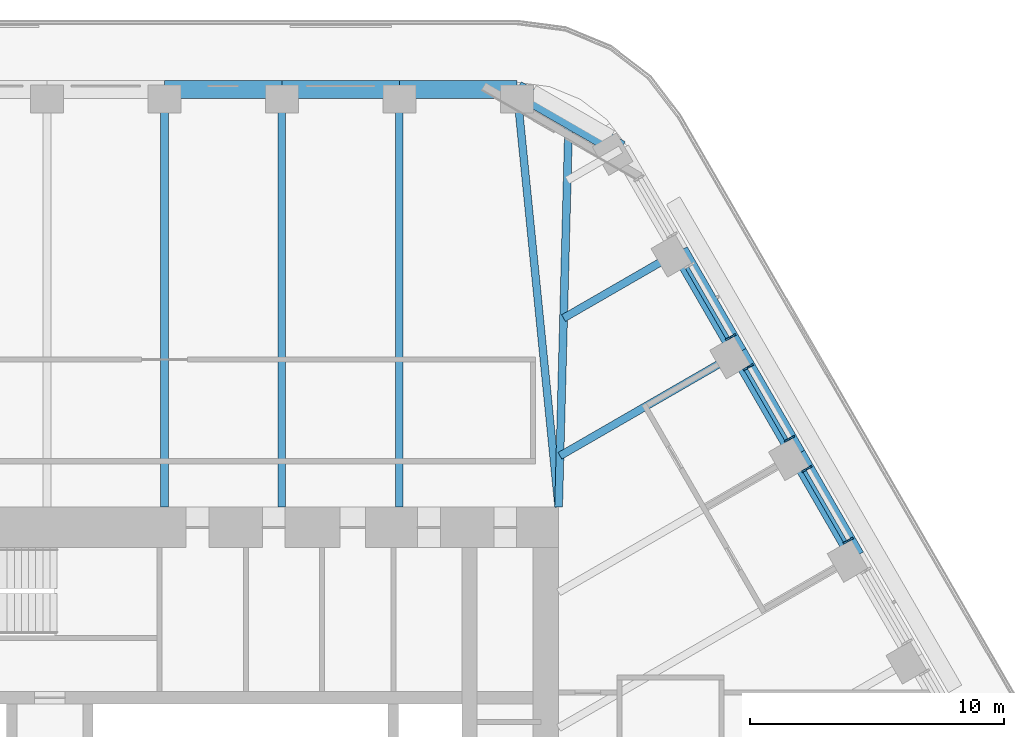
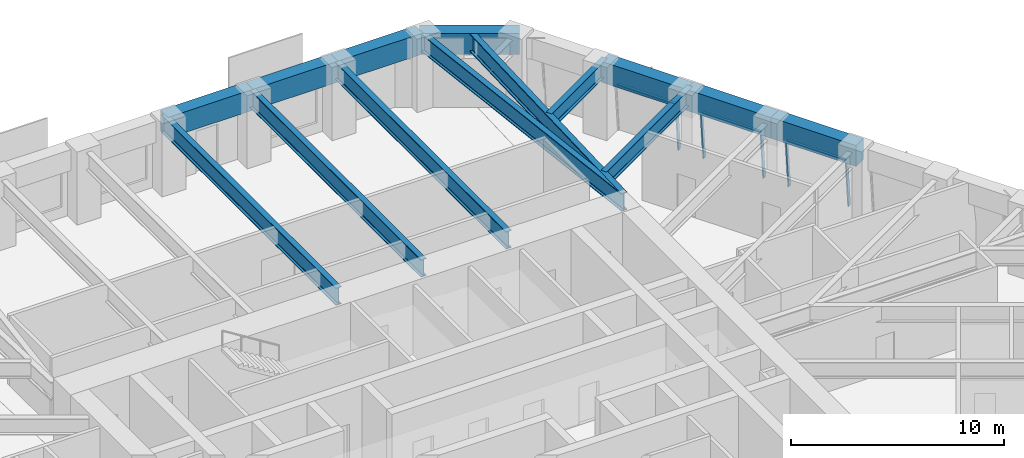
# One storey, part 11 of 20: 14 beams, 8 members, 3 elements without a shape of their own.
"""IFC4 building model written with IfcOpenShell, lengths in metres."""

from ifc_helpers import new_model, si_unit, direction, frame, origin, origin_2d, place, context, subcontext, project, spatial, rectangle, i_section, extrude, material, material_profile, profile_set, type_object, element, aggregate, save


model = new_model("IFC4")

# Units and contexts
model_context = context("Model", 3, precision=1e-05, world=origin(), true_north=direction((0.0, 1.0)))
body_context = subcontext(model_context, "Body", "Model", "MODEL_VIEW")
ifc_project = project(units=[si_unit("LENGTHUNIT", "METRE"), si_unit("AREAUNIT", "SQUARE_METRE"), si_unit("VOLUMEUNIT", "CUBIC_METRE"), si_unit("PLANEANGLEUNIT", "RADIAN"), si_unit("MASSUNIT", "GRAM", prefix="KILO")], contexts=[model_context])

# Site, building, storey
site_placement = place(None, origin())
site = spatial("IfcSite", under=ifc_project, at=site_placement, CompositionType="ELEMENT")
building_placement = place(site_placement, origin())
building = spatial("IfcBuilding", under=site, at=building_placement, Name="Tarfa Lantern Tower", CompositionType="ELEMENT")
storey_placement = place(building_placement, frame((0.0, 0.0, 244.89990234375)))
storey = spatial("IfcBuildingStorey", under=building, at=storey_placement, Name="L55", CompositionType="ELEMENT", Elevation=244.89990234375)

# Curtain wall, members
ifc_material_1 = material(Name="Aluminium framed curtain wall", Category="aluminium")
curtain_wall_type = type_object("IfcCurtainWallType", Name="CW3 CANTED GLAZING HIGH ZONE 2800", PredefinedType="USERDEFINED", material=ifc_material_1)
curtain_wall_1_placement = place(storey_placement, origin())
curtain_wall_1 = element("IfcCurtainWall", 1, at=curtain_wall_1_placement, inside=storey, type_object=curtain_wall_type, Name="CW3 NE L55", ObjectType="CURTAIN WALL", PredefinedType="USERDEFINED")
ifc_material_2 = material(Name="Aluminium mullion", Category="aluminium")
ifc_material_profile_1 = material_profile(ifc_material_2, rectangle(XDim=0.06494140625, YDim=0.199951171875, at=origin_2d()), Name="AL MULLION 65x200")
ifc_profile_set_1 = profile_set([ifc_material_profile_1], Name="Aluminium mullion")
member_type_1 = type_object("IfcMemberType", Name="CWM1 MULLION 65x200", PredefinedType="MULLION", material=ifc_profile_set_1)
member_1_placement = place(storey_placement, frame((26.996337890625, 11.041015625, 0.0), z_axis=(-0.077032386753, -0.044465143199, 0.996036576854), x_axis=(0.499919672301, -0.866071776036, 0.0)))
member_1 = element("IfcMember", 2, at=member_1_placement, type_object=member_type_1, Name="CW3 mullion 1", PredefinedType="MULLION", context=body_context, shape_type="SweptSolid", body=[
    extrude(rectangle(XDim=0.06494140625, YDim=0.199951171875, at=origin_2d()), origin(), (0.0, 0.0, 1.0), 2.811279296875),
])
member_2_placement = place(storey_placement, frame((25.369384765625, 13.85888671875, 0.0), z_axis=(-0.077032386753, -0.044465143199, 0.996036576854), x_axis=(0.499919672301, -0.866071776036, 0.0)))
member_2 = element("IfcMember", 3, at=member_2_placement, type_object=member_type_1, Name="CW3 mullion 2", PredefinedType="MULLION", context=body_context, shape_type="SweptSolid", body=[
    extrude(rectangle(XDim=0.06494140625, YDim=0.199951171875, at=origin_2d()), origin(), (0.0, 0.0, 1.0), 2.811279296875),
])

curtain_wall_2_placement = place(storey_placement, origin())
curtain_wall_2 = element("IfcCurtainWall", 4, at=curtain_wall_2_placement, inside=storey, type_object=curtain_wall_type, Name="CW3 NE L55", ObjectType="CURTAIN WALL", PredefinedType="USERDEFINED")
member_3_placement = place(storey_placement, frame((24.686767578125, 15.041015625, 0.0), z_axis=(-0.076946055247, -0.044465440504, 0.996043236603), x_axis=(0.500342721131, -0.865827443207, 0.0)))
member_3 = element("IfcMember", 5, at=member_3_placement, type_object=member_type_1, Name="CW3 mullion 1", PredefinedType="MULLION", context=body_context, shape_type="SweptSolid", body=[
    extrude(rectangle(XDim=0.06494140625, YDim=0.199951171875, at=origin_2d()), origin(), (0.0, 0.0, 1.0), 2.811279296875),
])
member_4_placement = place(storey_placement, frame((23.06005859375, 17.85888671875, 0.0), z_axis=(-0.077032386753, -0.044465143199, 0.996036576854), x_axis=(0.499919672301, -0.866071776036, 0.0)))
member_4 = element("IfcMember", 6, at=member_4_placement, type_object=member_type_1, Name="CW3 mullion 2", PredefinedType="MULLION", context=body_context, shape_type="SweptSolid", body=[
    extrude(rectangle(XDim=0.06494140625, YDim=0.199951171875, at=origin_2d()), origin(), (0.0, 0.0, 1.0), 2.811279296875),
])

# Curtain wall, member
curtain_wall_3_placement = place(storey_placement, origin())
curtain_wall_3 = element("IfcCurtainWall", 7, at=curtain_wall_3_placement, inside=storey, type_object=curtain_wall_type, Name="CW3 NE L55", ObjectType="CURTAIN WALL", PredefinedType="USERDEFINED")
member_5_placement = place(storey_placement, frame((22.37744140625, 19.041015625, 0.0), z_axis=(-0.077032386753, -0.044465143199, 0.996036576854), x_axis=(0.499919672301, -0.866071776036, 0.0)))
member_5 = element("IfcMember", 8, at=member_5_placement, type_object=member_type_1, Name="CW3 mullion 1", PredefinedType="MULLION", context=body_context, shape_type="SweptSolid", body=[
    extrude(rectangle(XDim=0.06494140625, YDim=0.199951171875, at=origin_2d()), origin(), (0.0, 0.0, 1.0), 2.811279296875),
])

# Member
ifc_material_3 = material(Name="Aluminium transom", Category="aluminium")
ifc_material_profile_2 = material_profile(ifc_material_3, rectangle(XDim=0.14990234375, YDim=0.06494140625, at=origin_2d()), Name="AL TRANSOM 150x65")
ifc_profile_set_2 = profile_set([ifc_material_profile_2], Name="Aluminium transom")
member_type_2 = type_object("IfcMemberType", Name="CWT1 TRANSOM 150x65", PredefinedType="USERDEFINED", material=ifc_profile_set_2)
member_6_placement = place(storey_placement, frame((26.76611328125, 10.945556640625, 2.767578125), z_axis=(-0.500000789788, 0.8660249478, 0.0), x_axis=(-0.8660249478, -0.500000789788, 0.0)))
member_6 = element("IfcMember", 9, at=member_6_placement, type_object=member_type_2, Name="CW3 transom 1.2", ObjectType="TRANSOM", PredefinedType="USERDEFINED", context=body_context, shape_type="SweptSolid", body=[
    extrude(rectangle(XDim=0.14990234375, YDim=0.06494140625, at=origin_2d()), origin(), (0.0, 0.0, 1.0), 3.18896484375),
])

aggregate(curtain_wall_1, [member_1, member_2, member_6])

member_7_placement = place(storey_placement, frame((24.45654296875, 14.945556640625, 2.767578125), z_axis=(-0.499943367995, 0.866058097819, 0.0), x_axis=(-0.866058097819, -0.499943367995, 0.0)))
member_7 = element("IfcMember", 10, at=member_7_placement, type_object=member_type_2, Name="CW3 transom 1.2", ObjectType="TRANSOM", PredefinedType="USERDEFINED", context=body_context, shape_type="SweptSolid", body=[
    extrude(rectangle(XDim=0.14990234375, YDim=0.06494140625, at=origin_2d()), origin(), (0.0, 0.0, 1.0), 3.188720703125),
])

aggregate(curtain_wall_2, [member_3, member_4, member_7])

member_8_placement = place(storey_placement, frame((22.147216796875, 18.945556640625, 2.767578125), z_axis=(-0.500000789788, 0.8660249478, 0.0), x_axis=(-0.8660249478, -0.500000789788, 0.0)))
member_8 = element("IfcMember", 11, at=member_8_placement, type_object=member_type_2, Name="CW3 transom 1.2", ObjectType="TRANSOM", PredefinedType="USERDEFINED", context=body_context, shape_type="SweptSolid", body=[
    extrude(rectangle(XDim=0.14990234375, YDim=0.06494140625, at=origin_2d()), origin(), (0.0, 0.0, 1.0), 3.18896484375),
])

aggregate(curtain_wall_3, [member_5, member_8])

# Beams
ifc_material_4 = material(Name="Concrete C80/95", Category="concrete")
ifc_material_profile_3 = material_profile(ifc_material_4, rectangle(XDim=0.699951171875, YDim=1.199951171875, at=origin_2d()), Name="RC 700x1200")
ifc_profile_set_3 = profile_set([ifc_material_profile_3], Name="Concrete C80/95")
beam_type_1 = type_object("IfcBeamType", Name="EB3 RC 700x1200", PredefinedType="SPANDREL", material=ifc_profile_set_3)
beam_1_placement = place(storey_placement, frame((27.181640625, 10.360107421875, 3.400146484375), z_axis=(-0.499987836815, 0.866032426089, 0.0), x_axis=(-0.866032426089, -0.499987836815, 0.0)))
element("IfcBeam", 12, at=beam_1_placement, inside=storey, type_object=beam_type_1, Name="Edge beam NE2", PredefinedType="SPANDREL", context=body_context, shape_type="SweptSolid", body=[
    extrude(rectangle(XDim=0.699951171875, YDim=1.199951171875, at=origin_2d()), origin(), (0.0, 0.0, 1.0), 4.61865234375),
])
beam_2_placement = place(storey_placement, frame((24.872314453125, 14.360107421875, 3.400146484375), z_axis=(-0.500027479704, 0.866009537788, 0.0), x_axis=(-0.866009537788, -0.500027479704, 0.0)))
element("IfcBeam", 13, at=beam_2_placement, inside=storey, type_object=beam_type_1, Name="Edge beam NE3", PredefinedType="SPANDREL", context=body_context, shape_type="SweptSolid", body=[
    extrude(rectangle(XDim=0.699951171875, YDim=1.199951171875, at=origin_2d()), origin(), (0.0, 0.0, 1.0), 4.618896484375),
])
beam_3_placement = place(storey_placement, frame((22.562744140625, 18.360107421875, 3.400146484375), z_axis=(-0.499987836815, 0.866032426089, 0.0), x_axis=(-0.866032426089, -0.499987836815, 0.0)))
element("IfcBeam", 14, at=beam_3_placement, inside=storey, type_object=beam_type_1, Name="Edge beam NE4", PredefinedType="SPANDREL", context=body_context, shape_type="SweptSolid", body=[
    extrude(rectangle(XDim=0.699951171875, YDim=1.199951171875, at=origin_2d()), origin(), (0.0, 0.0, 1.0), 4.61865234375),
])
beam_4_placement = place(storey_placement, frame((17.944091796875, 26.360107421875, 3.400146484375), z_axis=(-0.866038294681, 0.499977671647, 0.0), x_axis=(-0.499977671647, -0.866038294681, 0.0)))
element("IfcBeam", 15, at=beam_4_placement, inside=storey, type_object=beam_type_1, Name="Edge beam NE6", PredefinedType="SPANDREL", context=body_context, shape_type="SweptSolid", body=[
    extrude(rectangle(XDim=0.699951171875, YDim=1.199951171875, at=origin_2d()), origin(), (0.0, 0.0, 1.0), 4.719970703125),
])
beam_5_placement = place(storey_placement, frame((13.8564453125, 28.719970703125, 3.400146484375), z_axis=(-1.0, 0.0, 0.0), x_axis=(0.0, -1.0, 0.0)))
element("IfcBeam", 16, at=beam_5_placement, inside=storey, type_object=beam_type_1, Name="Edge beam N0", PredefinedType="SPANDREL", context=body_context, shape_type="SweptSolid", body=[
    extrude(rectangle(XDim=0.699951171875, YDim=1.199951171875, at=origin_2d()), origin(), (0.0, 0.0, 1.0), 4.618896484375),
])
beam_6_placement = place(storey_placement, frame((9.237548828125, 28.719970703125, 3.400146484375), z_axis=(-1.0, 0.0, 0.0), x_axis=(0.0, -1.0, 0.0)))
element("IfcBeam", 17, at=beam_6_placement, inside=storey, type_object=beam_type_1, Name="Edge beam N1", PredefinedType="SPANDREL", context=body_context, shape_type="SweptSolid", body=[
    extrude(rectangle(XDim=0.699951171875, YDim=1.199951171875, at=origin_2d()), origin(), (0.0, 0.0, 1.0), 4.61865234375),
])
beam_7_placement = place(storey_placement, frame((4.618896484375, 28.719970703125, 3.400146484375), z_axis=(-1.0, 0.0, 0.0), x_axis=(0.0, -1.0, 0.0)))
element("IfcBeam", 18, at=beam_7_placement, inside=storey, type_object=beam_type_1, Name="Edge beam N2", PredefinedType="SPANDREL", context=body_context, shape_type="SweptSolid", body=[
    extrude(rectangle(XDim=0.699951171875, YDim=1.199951171875, at=origin_2d()), origin(), (0.0, 0.0, 1.0), 4.618896484375),
])
ifc_material_5 = material(Name="Steel S460M", Category="steel")
ifc_material_profile_4 = material_profile(ifc_material_5, i_section(OverallWidth=0.302001953125, OverallDepth=1.008056640625, WebThickness=0.02099609375, FlangeThickness=0.0400390625, FilletRadius=0.030029296875, at=origin_2d()), Name="UB1016x305x349")
ifc_profile_set_4 = profile_set([ifc_material_profile_4], Name="Steel S460M")
beam_type_2 = type_object("IfcBeamType", Name="UB1016x305x349", PredefinedType="BEAM", material=ifc_profile_set_4)
beam_8_placement = place(storey_placement, frame((13.8564453125, 28.719970703125, 3.49609375), z_axis=(0.099597466746, -0.995027810977, 0.0), x_axis=(0.995027810977, 0.099597466746, 0.0)))
element("IfcBeam", 19, at=beam_8_placement, inside=storey, type_object=beam_type_2, Name="Floor beam N0", PredefinedType="BEAM", context=body_context, shape_type="SweptSolid", body=[
    extrude(i_section(OverallWidth=0.302001953125, OverallDepth=1.008056640625, WebThickness=0.02099609375, FlangeThickness=0.0400390625, FilletRadius=0.030029296875, at=origin_2d()), origin(), (0.0, 0.0, 1.0), 16.501953125),
])
for number, where, z_axis, x_axis, name in (
    (20, (9.237548828125, 28.719970703125, 3.49609375), (0.0, -1.0, 0.0), (1.0, 0.0, 0.0), "Floor beam N1"),
    (21, (4.618896484375, 28.719970703125, 3.49609375), (0.0, -1.0, 0.0), (1.0, 0.0, 0.0), "Floor beam N2"),
    (22, (0.0, 28.719970703125, 3.49609375), (0.0, -1.0, 0.0), (1.0, 0.0, 0.0), "Floor beam N3"),
):
    element("IfcBeam", number, at=place(storey_placement, frame(where, z_axis=z_axis, x_axis=x_axis)), inside=storey, type_object=beam_type_2, Name=name, PredefinedType="BEAM", context=body_context, shape_type="SweptSolid", body=[
        extrude(i_section(OverallWidth=0.302001953125, OverallDepth=1.008056640625, WebThickness=0.02099609375, FlangeThickness=0.0400390625, FilletRadius=0.030029296875, at=origin_2d()), origin(), (0.0, 0.0, 1.0), 16.419921875),
    ])
ifc_material_profile_5 = material_profile(ifc_material_5, i_section(OverallWidth=0.30859375, OverallDepth=1.036376953125, WebThickness=0.030029296875, FlangeThickness=0.05419921875, FilletRadius=0.030029296875, at=origin_2d()), Name="UB1016x305x487")
ifc_profile_set_5 = profile_set([ifc_material_profile_5], Name="Steel S460M")
beam_type_3 = type_object("IfcBeamType", Name="UB1016x305x487", PredefinedType="BEAM", material=ifc_profile_set_5)
beam_9_placement = place(storey_placement, frame((15.5, 12.300048828125, 3.48193359375), z_axis=(0.026247301989, 0.999655480222, 0.0), x_axis=(-0.999655480222, 0.026247301989, 0.0)))
element("IfcBeam", 23, at=beam_9_placement, inside=storey, type_object=beam_type_3, Name="Hip girder NE", PredefinedType="BEAM", context=body_context, shape_type="SweptSolid", body=[
    extrude(i_section(OverallWidth=0.30859375, OverallDepth=1.036376953125, WebThickness=0.030029296875, FlangeThickness=0.05419921875, FilletRadius=0.030029296875, at=origin_2d()), origin(), (0.0, 0.0, 1.0), 15.245361328125),
])
ifc_material_profile_6 = material_profile(ifc_material_5, i_section(OverallWidth=0.305419921875, OverallDepth=0.91845703125, WebThickness=0.017333984375, FlangeThickness=0.02783203125, FilletRadius=0.01904296875, at=origin_2d()), Name="UB914x305x253")
ifc_profile_set_6 = profile_set([ifc_material_profile_6], Name="Steel S460M")
beam_type_4 = type_object("IfcBeamType", Name="UB914x305x253", PredefinedType="BEAM", material=ifc_profile_set_6)
beam_10_placement = place(storey_placement, frame((22.562744140625, 18.360107421875, 3.541015625), z_axis=(-0.866010787764, -0.500025314835, 0.0), x_axis=(0.500025314835, -0.866010787764, 0.0)))
element("IfcBeam", 24, at=beam_10_placement, inside=storey, type_object=beam_type_4, Name="Floor beam NE4", PredefinedType="BEAM", context=body_context, shape_type="SweptSolid", body=[
    extrude(i_section(OverallWidth=0.305419921875, OverallDepth=0.91845703125, WebThickness=0.017333984375, FlangeThickness=0.02783203125, FilletRadius=0.01904296875, at=origin_2d()), origin(), (0.0, 0.0, 1.0), 8.09423828125),
])
beam_11_placement = place(storey_placement, frame((20.25341796875, 22.360107421875, 3.541015625), z_axis=(-0.86601951648, -0.500010196972, 0.0), x_axis=(0.500010196972, -0.86601951648, 0.0)))
element("IfcBeam", 25, at=beam_11_placement, inside=storey, type_object=beam_type_4, Name="Floor beam NE5", PredefinedType="BEAM", context=body_context, shape_type="SweptSolid", body=[
    extrude(i_section(OverallWidth=0.305419921875, OverallDepth=0.91845703125, WebThickness=0.017333984375, FlangeThickness=0.02783203125, FilletRadius=0.01904296875, at=origin_2d()), origin(), (0.0, 0.0, 1.0), 5.263671875),
])

save(model, "model.ifc")
